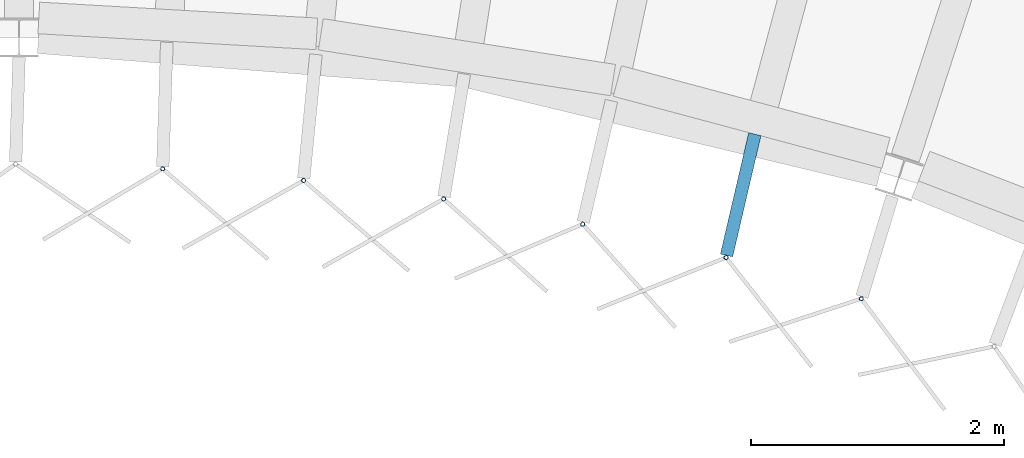
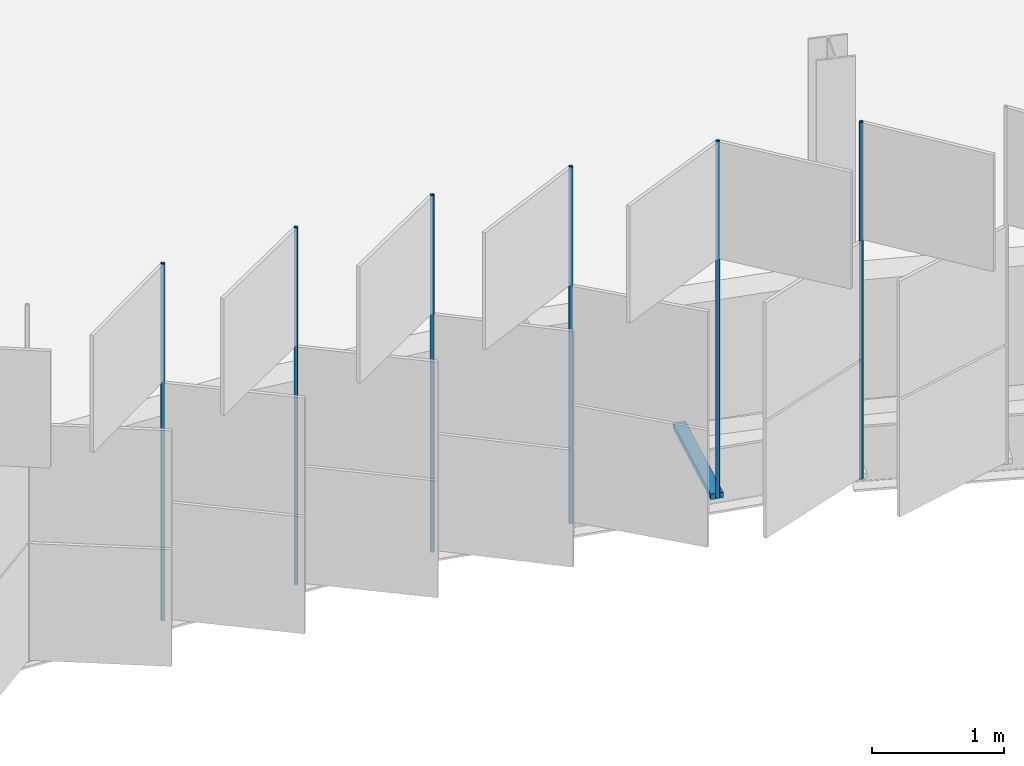
# One storey, part 108 of 198: 7 discrete accessories.
"""IFC4 building model written with IfcOpenShell, lengths in metres."""

from ifc_helpers import new_model, si_unit, direction, frame, origin, origin_2d, place, context, subcontext, project, spatial, rectangle, hollow_circle, extrude, material, material_profile, profile_set, type_object, element, save


model = new_model("IFC4")

# Units and contexts
model_context = context("Model", 3, precision=1e-05, world=origin(), true_north=direction((0.0, 1.0)))
body_context = subcontext(model_context, "Body", "Model", "MODEL_VIEW")
ifc_project = project(units=[si_unit("LENGTHUNIT", "METRE"), si_unit("AREAUNIT", "SQUARE_METRE"), si_unit("VOLUMEUNIT", "CUBIC_METRE"), si_unit("PLANEANGLEUNIT", "RADIAN"), si_unit("MASSUNIT", "GRAM", prefix="KILO")], contexts=[model_context])

# Site, building, storey
site_placement = place(None, origin())
site = spatial("IfcSite", under=ifc_project, at=site_placement, CompositionType="ELEMENT")
building_placement = place(site_placement, origin())
building = spatial("IfcBuilding", under=site, at=building_placement, Name="Parallax Yard Mobility Hub", CompositionType="ELEMENT")
storey_placement = place(building_placement, frame((0.0, 0.0, 6.60009765625)))
storey = spatial("IfcBuildingStorey", under=building, at=storey_placement, Name="L02", CompositionType="ELEMENT", Elevation=6.60009765625)

# Discrete accessories
ifc_material_1 = material(Name="Steel ASTM A36, hot-dip galvanised", Category="steel")
discrete_accessory_type_1 = type_object("IfcDiscreteAccessoryType", Name="Hinge bracket plate 100x50", PredefinedType="BRACKET", material=ifc_material_1)
discrete_accessory_placement = place(storey_placement, frame((178.201171875, 111.257080078125, -0.02490234375), z_axis=(0.0, 0.0, 1.0), x_axis=(-0.227076263034, -0.973876979277, 0.0)))
element("IfcDiscreteAccessory", 1, at=discrete_accessory_placement, inside=storey, type_object=discrete_accessory_type_1, Name="Hinge bracket plate bay 18.6 level L02", PredefinedType="BRACKET", context=body_context, shape_type="SweptSolid", body=[
    extrude(rectangle(XDim=0.984130859375, YDim=0.10009765625, at=origin_2d()), origin(), (0.0, 0.0, 1.0), 0.050048828125),
])
ifc_material_2 = material(Name="Steel ASTM A500 Gr C, hot-dip galvanised", Category="steel")
ifc_material_profile = material_profile(ifc_material_2, hollow_circle(Radius=0.016845703125, WallThickness=0.003173828125, at=origin_2d()), Name="CHS 33.7x3.2")
ifc_profile_set = profile_set([ifc_material_profile], Name="Steel ASTM A500 Gr C, hot-dip galvanised")
discrete_accessory_type_2 = type_object("IfcDiscreteAccessoryType", Name="Hinge post CHS 33.7x3.2", PredefinedType="BRACKET", material=ifc_profile_set)
for number, where, z_axis, x_axis, name in (
    (2, (173.634521484375, 111.46240234375, 0.0), (0.0, 0.0, 1.0), (1.0, 0.0, 0.0), "Hinge post bay 18.2 level L02"),
    (3, (174.747314453125, 111.37060546875, 0.0), (0.0, 0.0, 1.0), (1.0, 0.0, 0.0), "Hinge post bay 18.3 level L02"),
    (4, (175.8544921875, 111.22509765625, 0.0), (0.0, 0.0, 1.0), (1.0, 0.0, 0.0), "Hinge post bay 18.4 level L02"),
    (5, (176.953125, 111.02587890625, 0.0), (0.0, 0.0, 1.0), (1.0, 0.0, 0.0), "Hinge post bay 18.5 level L02"),
    (6, (178.085693359375, 110.761962890625, 0.0), (0.0, 0.0, 1.0), (1.0, 0.0, 0.0), "Hinge post bay 18.6 level L02"),
    (7, (179.154296875, 110.436279296875, 0.0), (0.0, 0.0, 1.0), (1.0, 0.0, 0.0), "Hinge post bay 19.1 level L02"),
):
    element("IfcDiscreteAccessory", number, at=place(storey_placement, frame(where, z_axis=z_axis, x_axis=x_axis)), inside=storey, type_object=discrete_accessory_type_2, Name=name, PredefinedType="BRACKET", context=body_context, shape_type="SweptSolid", body=[
        extrude(hollow_circle(Radius=0.016845703125, WallThickness=0.003173828125, at=origin_2d()), origin(), (0.0, 0.0, 1.0), 3.2998046875),
    ])

save(model, "model.ifc")
